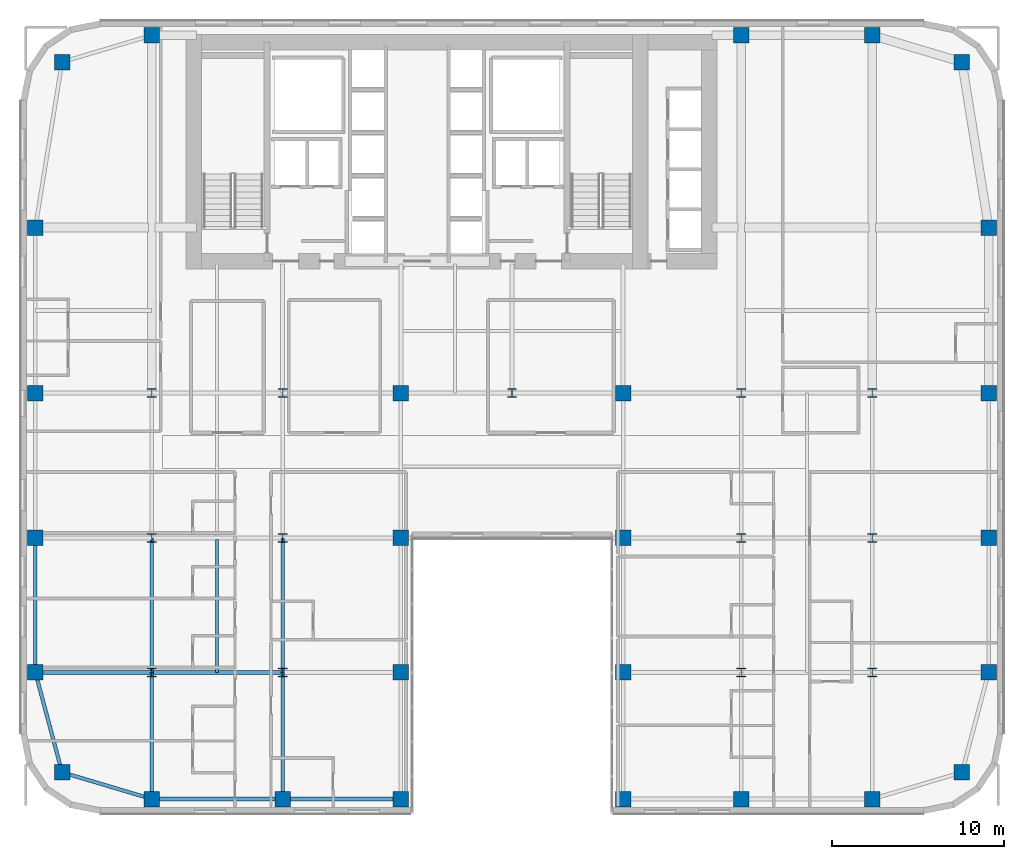
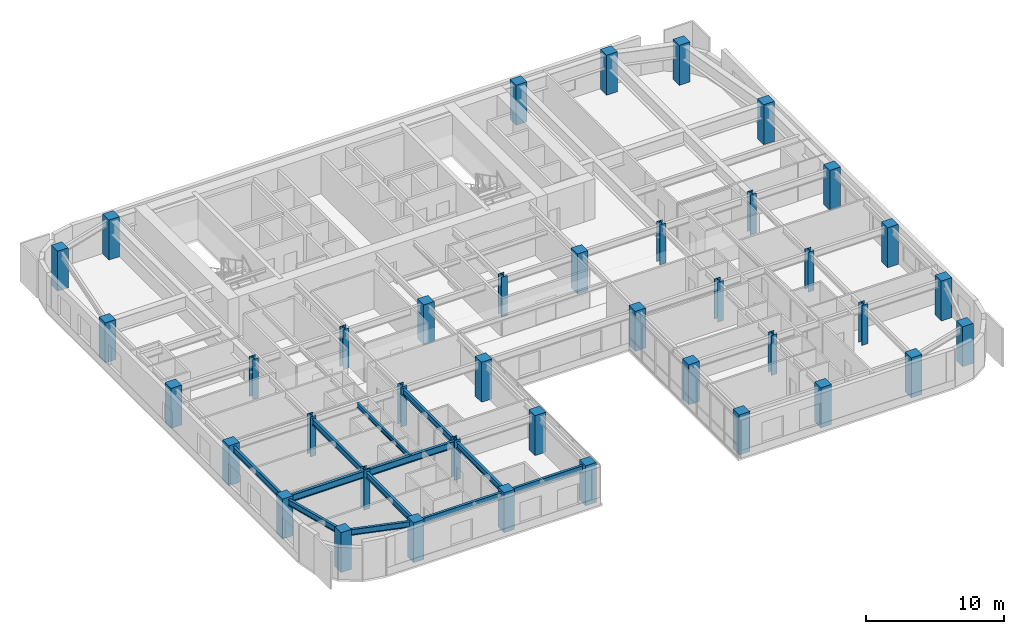
# One storey, part 1 of 24: 40 columns, 12 beams.
"""IFC4 building model written with IfcOpenShell, lengths in metres."""

from ifc_helpers import new_model, si_unit, direction, frame, origin, origin_2d, place, context, subcontext, project, spatial, rectangle, i_section, extrude, source, transform, mapped, material, material_profile, profile_set, type_object, type_shapes, element, save


model = new_model("IFC4")

# Units and contexts
model_context = context("Model", 3, precision=1e-05, world=origin(), true_north=direction((0.0, 1.0)))
body_context = subcontext(model_context, "Body", "Model", "MODEL_VIEW")
ifc_project = project(units=[si_unit("LENGTHUNIT", "METRE"), si_unit("AREAUNIT", "SQUARE_METRE"), si_unit("VOLUMEUNIT", "CUBIC_METRE"), si_unit("PLANEANGLEUNIT", "RADIAN"), si_unit("MASSUNIT", "GRAM", prefix="KILO")], contexts=[model_context])

# Site, building, storey
site_placement = place(None, origin())
site = spatial("IfcSite", under=ifc_project, at=site_placement, CompositionType="ELEMENT")
building_placement = place(site_placement, origin())
building = spatial("IfcBuilding", under=site, at=building_placement, Name="Tolvann Quenvar Hotel", CompositionType="ELEMENT")
storey_placement = place(building_placement, frame((0.0, 0.0, 81.699951171875)))
storey = spatial("IfcBuildingStorey", under=building, at=storey_placement, Name="L20", CompositionType="ELEMENT", Elevation=81.699951171875)

# Columns
ifc_material_1 = material(Name="Concrete S65 (65 MPa)", Category="concrete")
ifc_material_profile_1 = material_profile(ifc_material_1, rectangle(XDim=0.89990234375, YDim=0.89990234375, at=origin_2d()), Name="RC900x900")
ifc_profile_set_1 = profile_set([ifc_material_profile_1], Name="Concrete S65 (65 MPa)")
column_type_1 = type_object("IfcColumnType", Name="COL_RC900", PredefinedType="COLUMN", material=ifc_profile_set_1)
shared_shape_1 = source(origin(), body_context, "Body", "SweptSolid", [
    extrude(rectangle(XDim=0.89990234375, YDim=0.89990234375, at=origin_2d()), origin(), (0.0, 0.0, 1.0), 3.550048828125),
])
type_shapes(column_type_1, [shared_shape_1])
for number, where, z_axis, x_axis, name in (
    (1, (2.39990234375, 2.39990234375, 0.0), (0.0, 0.0, 1.0), (1.0, 0.0, 0.0), "Column B2 (L20)"),
    (2, (0.85009765625, 8.199951171875, 0.0), (0.0, 0.0, 1.0), (1.0, 0.0, 0.0), "Column B3 (L20)"),
    (3, (0.85009765625, 16.0, 0.0), (0.0, 0.0, 1.0), (1.0, 0.0, 0.0), "Column B4 (L20)"),
    (4, (0.85009765625, 24.39990234375, 0.0), (0.0, 0.0, 1.0), (1.0, 0.0, 0.0), "Column B5 (L20)"),
    (5, (7.60009765625, 0.85009765625, 0.0), (0.0, 0.0, 1.0), (1.0, 0.0, 0.0), "Column C2 (L20)"),
    (6, (15.199951171875, 0.85009765625, 0.0), (0.0, 0.0, 1.0), (1.0, 0.0, 0.0), "Column D2 (L20)"),
    (7, (22.050048828125, 0.85009765625, 0.0), (0.0, 0.0, 1.0), (1.0, 0.0, 0.0), "Column E2 (L20)"),
    (8, (22.050048828125, 8.199951171875, 0.0), (0.0, 0.0, 1.0), (1.0, 0.0, 0.0), "Column E3 (L20)"),
    (9, (22.050048828125, 16.0, 0.0), (0.0, 0.0, 1.0), (1.0, 0.0, 0.0), "Column E4 (L20)"),
    (10, (22.050048828125, 24.39990234375, 0.0), (0.0, 0.0, 1.0), (1.0, 0.0, 0.0), "Column E5 (L20)"),
    (11, (34.949951171875, 0.85009765625, 0.0), (0.0, 0.0, 1.0), (1.0, 0.0, 0.0), "Column F2 (L20)"),
    (12, (34.949951171875, 8.199951171875, 0.0), (0.0, 0.0, 1.0), (1.0, 0.0, 0.0), "Column F3 (L20)"),
    (13, (34.949951171875, 16.0, 0.0), (0.0, 0.0, 1.0), (1.0, 0.0, 0.0), "Column F4 (L20)"),
    (14, (34.949951171875, 24.39990234375, 0.0), (0.0, 0.0, 1.0), (1.0, 0.0, 0.0), "Column F5 (L20)"),
    (15, (41.800048828125, 0.85009765625, 0.0), (0.0, 0.0, 1.0), (1.0, 0.0, 0.0), "Column H2 (L20)"),
    (16, (49.39990234375, 0.85009765625, 0.0), (0.0, 0.0, 1.0), (1.0, 0.0, 0.0), "Column I2 (L20)"),
    (17, (54.60009765625, 2.39990234375, 0.0), (0.0, 0.0, 1.0), (1.0, 0.0, 0.0), "Column J2 (L20)"),
    (18, (56.14990234375, 8.199951171875, 0.0), (0.0, 0.0, 1.0), (1.0, 0.0, 0.0), "Column J3 (L20)"),
    (19, (56.14990234375, 16.0, 0.0), (0.0, 0.0, 1.0), (1.0, 0.0, 0.0), "Column J4 (L20)"),
    (20, (56.14990234375, 24.39990234375, 0.0), (0.0, 0.0, 1.0), (1.0, 0.0, 0.0), "Column J5 (L20)"),
    (21, (2.39990234375, 43.60009765625, 0.0), (0.0, 0.0, 1.0), (1.0, 0.0, 0.0), "Column BN (L20)"),
    (22, (7.60009765625, 45.14990234375, 0.0), (0.0, 0.0, 1.0), (1.0, 0.0, 0.0), "Column CN (L20)"),
    (23, (0.85009765625, 34.0, 0.0), (0.0, 0.0, 1.0), (1.0, 0.0, 0.0), "Column BD6 (L20)"),
    (24, (41.800048828125, 45.14990234375, 0.0), (0.0, 0.0, 1.0), (1.0, 0.0, 0.0), "Column HN (L20)"),
    (25, (49.39990234375, 45.14990234375, 0.0), (0.0, 0.0, 1.0), (1.0, 0.0, 0.0), "Column IN (L20)"),
    (26, (54.60009765625, 43.60009765625, 0.0), (0.0, 0.0, 1.0), (1.0, 0.0, 0.0), "Column JN (L20)"),
    (27, (56.14990234375, 34.0, 0.0), (0.0, 0.0, 1.0), (1.0, 0.0, 0.0), "Column JD6 (L20)"),
):
    element("IfcColumn", number, at=place(storey_placement, frame(where, z_axis=z_axis, x_axis=x_axis)), inside=storey, type_object=column_type_1, Name=name, PredefinedType="COLUMN", context=body_context, shape_type="MappedRepresentation", body=[
        mapped(shared_shape_1, transform((0.0, 0.0, 0.0), x_axis=(1.0, 0.0, 0.0), y_axis=(0.0, 1.0, 0.0), z_axis=(0.0, 0.0, 1.0), scale=1.0)),
    ])
ifc_material_2 = material(Name="Steel Grade 350", Category="steel")
ifc_material_profile_2 = material_profile(ifc_material_2, i_section(OverallWidth=0.5, OverallDepth=0.5, WebThickness=0.02197265625, FlangeThickness=0.033935546875, at=origin_2d()), Name="500WC340")
ifc_profile_set_2 = profile_set([ifc_material_profile_2], Name="Steel Grade 350")
column_type_2 = type_object("IfcColumnType", Name="COL_500WC340", PredefinedType="COLUMN", material=ifc_profile_set_2)
shared_shape_2 = source(origin(), body_context, "Body", "SweptSolid", [
    extrude(i_section(OverallWidth=0.5, OverallDepth=0.5, WebThickness=0.02197265625, FlangeThickness=0.033935546875, at=origin_2d()), origin(), (0.0, 0.0, 1.0), 3.550048828125),
])
type_shapes(column_type_2, [shared_shape_2])
for number, where, z_axis, x_axis, name in (
    (28, (7.60009765625, 8.199951171875, 0.0), (0.0, 0.0, 1.0), (1.0, 0.0, 0.0), "Column C3 (L20)"),
    (29, (7.60009765625, 16.0, 0.0), (0.0, 0.0, 1.0), (1.0, 0.0, 0.0), "Column C4 (L20)"),
    (30, (7.60009765625, 24.39990234375, 0.0), (0.0, 0.0, 1.0), (1.0, 0.0, 0.0), "Column C5 (L20)"),
    (31, (15.199951171875, 8.199951171875, 0.0), (0.0, 0.0, 1.0), (1.0, 0.0, 0.0), "Column D3 (L20)"),
    (32, (15.199951171875, 16.0, 0.0), (0.0, 0.0, 1.0), (1.0, 0.0, 0.0), "Column D4 (L20)"),
    (33, (15.199951171875, 24.39990234375, 0.0), (0.0, 0.0, 1.0), (1.0, 0.0, 0.0), "Column D5 (L20)"),
    (34, (41.800048828125, 8.199951171875, 0.0), (0.0, 0.0, 1.0), (1.0, 0.0, 0.0), "Column H3 (L20)"),
    (35, (41.800048828125, 16.0, 0.0), (0.0, 0.0, 1.0), (1.0, 0.0, 0.0), "Column H4 (L20)"),
    (36, (41.800048828125, 24.39990234375, 0.0), (0.0, 0.0, 1.0), (1.0, 0.0, 0.0), "Column H5 (L20)"),
    (37, (49.39990234375, 8.199951171875, 0.0), (0.0, 0.0, 1.0), (1.0, 0.0, 0.0), "Column I3 (L20)"),
    (38, (49.39990234375, 16.0, 0.0), (0.0, 0.0, 1.0), (1.0, 0.0, 0.0), "Column I4 (L20)"),
    (39, (49.39990234375, 24.39990234375, 0.0), (0.0, 0.0, 1.0), (1.0, 0.0, 0.0), "Column I5 (L20)"),
    (40, (28.5, 24.39990234375, 0.0), (0.0, 0.0, 1.0), (1.0, 0.0, 0.0), "Column M5 (L20)"),
):
    element("IfcColumn", number, at=place(storey_placement, frame(where, z_axis=z_axis, x_axis=x_axis)), inside=storey, type_object=column_type_2, Name=name, PredefinedType="COLUMN", context=body_context, shape_type="MappedRepresentation", body=[
        mapped(shared_shape_2, transform((0.0, 0.0, 0.0), x_axis=(1.0, 0.0, 0.0), y_axis=(0.0, 1.0, 0.0), z_axis=(0.0, 0.0, 1.0), scale=1.0)),
    ])

# Beams
ifc_material_profile_3 = material_profile(ifc_material_2, i_section(OverallWidth=0.208984375, OverallDepth=0.528076171875, WebThickness=0.009521484375, FlangeThickness=0.01318359375, FilletRadius=0.013916015625, at=origin_2d()), Name="530UB82")
ifc_profile_set_3 = profile_set([ifc_material_profile_3], Name="Steel Grade 350")
beam_type_1 = type_object("IfcBeamType", Name="BM_SPAND_530UB82", PredefinedType="SPANDREL", material=ifc_profile_set_3)
shared_shape_3 = source(origin(), body_context, "Body", "SweptSolid", [
    extrude(i_section(OverallWidth=0.208984375, OverallDepth=0.528076171875, WebThickness=0.009521484375, FlangeThickness=0.01318359375, FilletRadius=0.013916015625, at=origin_2d()), origin(), (0.0, 0.0, 1.0), 5.42626953125),
])
beam_1_placement = place(storey_placement, frame((2.39990234375, 2.39990234375, 3.10595703125), z_axis=(0.958344815522, -0.285613750654, 0.0), x_axis=(0.285613750654, 0.958344815522, 0.0)))
element("IfcBeam", 41, at=beam_1_placement, inside=storey, type_object=beam_type_1, Name="BM-L20-EW-2-B2-C2", PredefinedType="SPANDREL", context=body_context, shape_type="MappedRepresentation", body=[
    mapped(shared_shape_3, transform((0.0, 0.0, 0.0), x_axis=(1.0, 0.0, 0.0), y_axis=(0.0, 1.0, 0.0), z_axis=(0.0, 0.0, 1.0), scale=1.0)),
])
shared_shape_4 = source(origin(), body_context, "Body", "SweptSolid", [
    extrude(i_section(OverallWidth=0.208984375, OverallDepth=0.528076171875, WebThickness=0.009521484375, FlangeThickness=0.01318359375, FilletRadius=0.013916015625, at=origin_2d()), origin(), (0.0, 0.0, 1.0), 7.599853515625),
])
beam_2_placement = place(storey_placement, frame((7.60009765625, 0.85009765625, 3.10595703125), z_axis=(1.0, 0.0, 0.0), x_axis=(0.0, 1.0, 0.0)))
element("IfcBeam", 42, at=beam_2_placement, inside=storey, type_object=beam_type_1, Name="BM-L20-EW-2-C2-D2", PredefinedType="SPANDREL", context=body_context, shape_type="MappedRepresentation", body=[
    mapped(shared_shape_4, transform((0.0, 0.0, 0.0), x_axis=(1.0, 0.0, 0.0), y_axis=(0.0, 1.0, 0.0), z_axis=(0.0, 0.0, 1.0), scale=1.0)),
])
shared_shape_5 = source(origin(), body_context, "Body", "SweptSolid", [
    extrude(i_section(OverallWidth=0.208984375, OverallDepth=0.528076171875, WebThickness=0.009521484375, FlangeThickness=0.01318359375, FilletRadius=0.013916015625, at=origin_2d()), origin(), (0.0, 0.0, 1.0), 6.85009765625),
])
beam_3_placement = place(storey_placement, frame((15.199951171875, 0.85009765625, 3.10595703125), z_axis=(1.0, 0.0, 0.0), x_axis=(0.0, 1.0, 0.0)))
element("IfcBeam", 43, at=beam_3_placement, inside=storey, type_object=beam_type_1, Name="BM-L20-EW-2-D2-E2", PredefinedType="SPANDREL", context=body_context, shape_type="MappedRepresentation", body=[
    mapped(shared_shape_5, transform((0.0, 0.0, 0.0), x_axis=(1.0, 0.0, 0.0), y_axis=(0.0, 1.0, 0.0), z_axis=(0.0, 0.0, 1.0), scale=1.0)),
])
ifc_material_profile_4 = material_profile(ifc_material_2, i_section(OverallWidth=0.22900390625, OverallDepth=0.612060546875, WebThickness=0.011962890625, FlangeThickness=0.01953125, FilletRadius=0.013916015625, at=origin_2d()), Name="610UB125")
ifc_profile_set_4 = profile_set([ifc_material_profile_4], Name="Steel Grade 350")
beam_type_2 = type_object("IfcBeamType", Name="BM_GIRD_610UB125", PredefinedType="BEAM", material=ifc_profile_set_4)
shared_shape_6 = source(origin(), body_context, "Body", "SweptSolid", [
    extrude(i_section(OverallWidth=0.22900390625, OverallDepth=0.612060546875, WebThickness=0.011962890625, FlangeThickness=0.01953125, FilletRadius=0.013916015625, at=origin_2d()), origin(), (0.0, 0.0, 1.0), 6.75),
])
beam_4_placement = place(storey_placement, frame((0.85009765625, 8.199951171875, 3.06396484375), z_axis=(1.0, 0.0, 0.0), x_axis=(0.0, 1.0, 0.0)))
element("IfcBeam", 44, at=beam_4_placement, inside=storey, type_object=beam_type_2, Name="BM-L20-EW-3-B3-C3", PredefinedType="BEAM", context=body_context, shape_type="MappedRepresentation", body=[
    mapped(shared_shape_6, transform((0.0, 0.0, 0.0), x_axis=(1.0, 0.0, 0.0), y_axis=(0.0, 1.0, 0.0), z_axis=(0.0, 0.0, 1.0), scale=1.0)),
])
shared_shape_7 = source(origin(), body_context, "Body", "SweptSolid", [
    extrude(i_section(OverallWidth=0.22900390625, OverallDepth=0.612060546875, WebThickness=0.011962890625, FlangeThickness=0.01953125, FilletRadius=0.013916015625, at=origin_2d()), origin(), (0.0, 0.0, 1.0), 7.599853515625),
])
type_shapes(beam_type_2, [shared_shape_6, shared_shape_7])
beam_5_placement = place(storey_placement, frame((7.60009765625, 8.199951171875, 3.06396484375), z_axis=(1.0, 0.0, 0.0), x_axis=(0.0, 1.0, 0.0)))
element("IfcBeam", 45, at=beam_5_placement, inside=storey, type_object=beam_type_2, Name="BM-L20-EW-3-C3-D3", PredefinedType="BEAM", context=body_context, shape_type="MappedRepresentation", body=[
    mapped(shared_shape_7, transform((0.0, 0.0, 0.0), x_axis=(1.0, 0.0, 0.0), y_axis=(0.0, 1.0, 0.0), z_axis=(0.0, 0.0, 1.0), scale=1.0)),
])
shared_shape_8 = source(origin(), body_context, "Body", "SweptSolid", [
    extrude(i_section(OverallWidth=0.208984375, OverallDepth=0.528076171875, WebThickness=0.009521484375, FlangeThickness=0.01318359375, FilletRadius=0.013916015625, at=origin_2d()), origin(), (0.0, 0.0, 1.0), 6.00341796875),
])
beam_6_placement = place(storey_placement, frame((2.39990234375, 2.39990234375, 3.10595703125), z_axis=(-0.258148586649, 0.966105225745, 0.0), x_axis=(-0.966105225745, -0.258148586649, 0.0)))
element("IfcBeam", 46, at=beam_6_placement, inside=storey, type_object=beam_type_1, Name="BM-L20-NS-B2-B3", PredefinedType="SPANDREL", context=body_context, shape_type="MappedRepresentation", body=[
    mapped(shared_shape_8, transform((0.0, 0.0, 0.0), x_axis=(1.0, 0.0, 0.0), y_axis=(0.0, 1.0, 0.0), z_axis=(0.0, 0.0, 1.0), scale=1.0)),
])
shared_shape_9 = source(origin(), body_context, "Body", "SweptSolid", [
    extrude(i_section(OverallWidth=0.208984375, OverallDepth=0.528076171875, WebThickness=0.009521484375, FlangeThickness=0.01318359375, FilletRadius=0.013916015625, at=origin_2d()), origin(), (0.0, 0.0, 1.0), 7.800048828125),
])
type_shapes(beam_type_1, [shared_shape_3, shared_shape_4, shared_shape_5, shared_shape_8, shared_shape_9])
beam_7_placement = place(storey_placement, frame((0.85009765625, 8.199951171875, 3.10595703125), z_axis=(0.0, 1.0, 0.0), x_axis=(-1.0, 0.0, 0.0)))
element("IfcBeam", 47, at=beam_7_placement, inside=storey, type_object=beam_type_1, Name="BM-L20-NS-B3-B4", PredefinedType="SPANDREL", context=body_context, shape_type="MappedRepresentation", body=[
    mapped(shared_shape_9, transform((0.0, 0.0, 0.0), x_axis=(1.0, 0.0, 0.0), y_axis=(0.0, 1.0, 0.0), z_axis=(0.0, 0.0, 1.0), scale=1.0)),
])
ifc_material_profile_5 = material_profile(ifc_material_2, i_section(OverallWidth=0.208984375, OverallDepth=0.532958984375, WebThickness=0.01025390625, FlangeThickness=0.015625, FilletRadius=0.013916015625, at=origin_2d()), Name="530UB92")
ifc_profile_set_5 = profile_set([ifc_material_profile_5], Name="Steel Grade 350")
beam_type_3 = type_object("IfcBeamType", Name="BM_GIRD_530UB92", PredefinedType="BEAM", material=ifc_profile_set_5)
shared_shape_10 = source(origin(), body_context, "Body", "SweptSolid", [
    extrude(i_section(OverallWidth=0.208984375, OverallDepth=0.532958984375, WebThickness=0.01025390625, FlangeThickness=0.015625, FilletRadius=0.013916015625, at=origin_2d()), origin(), (0.0, 0.0, 1.0), 7.349853515625),
])
for number, where, z_axis, x_axis, name in (
    (48, (7.60009765625, 0.85009765625, 3.103515625), (0.0, 1.0, 0.0), (-1.0, 0.0, 0.0), "BM-L20-NS-C2-C3"),
    (49, (15.199951171875, 0.85009765625, 3.103515625), (0.0, 1.0, 0.0), (-1.0, 0.0, 0.0), "BM-L20-NS-D2-D3"),
):
    element("IfcBeam", number, at=place(storey_placement, frame(where, z_axis=z_axis, x_axis=x_axis)), inside=storey, type_object=beam_type_3, Name=name, PredefinedType="BEAM", context=body_context, shape_type="MappedRepresentation", body=[
        mapped(shared_shape_10, transform((0.0, 0.0, 0.0), x_axis=(1.0, 0.0, 0.0), y_axis=(0.0, 1.0, 0.0), z_axis=(0.0, 0.0, 1.0), scale=1.0)),
    ])
shared_shape_11 = source(origin(), body_context, "Body", "SweptSolid", [
    extrude(i_section(OverallWidth=0.208984375, OverallDepth=0.532958984375, WebThickness=0.01025390625, FlangeThickness=0.015625, FilletRadius=0.013916015625, at=origin_2d()), origin(), (0.0, 0.0, 1.0), 7.800048828125),
])
type_shapes(beam_type_3, [shared_shape_10, shared_shape_11])
for number, where, z_axis, x_axis, name in (
    (50, (7.60009765625, 8.199951171875, 3.103515625), (0.0, 1.0, 0.0), (-1.0, 0.0, 0.0), "BM-L20-NS-C3-C4"),
    (51, (15.199951171875, 8.199951171875, 3.103515625), (0.0, 1.0, 0.0), (-1.0, 0.0, 0.0), "BM-L20-NS-D3-D4"),
):
    element("IfcBeam", number, at=place(storey_placement, frame(where, z_axis=z_axis, x_axis=x_axis)), inside=storey, type_object=beam_type_3, Name=name, PredefinedType="BEAM", context=body_context, shape_type="MappedRepresentation", body=[
        mapped(shared_shape_11, transform((0.0, 0.0, 0.0), x_axis=(1.0, 0.0, 0.0), y_axis=(0.0, 1.0, 0.0), z_axis=(0.0, 0.0, 1.0), scale=1.0)),
    ])
ifc_material_profile_6 = material_profile(ifc_material_2, i_section(OverallWidth=0.177978515625, OverallDepth=0.406005859375, WebThickness=0.0078125, FlangeThickness=0.0126953125, FilletRadius=0.011474609375, at=origin_2d()), Name="410UB60")
ifc_profile_set_6 = profile_set([ifc_material_profile_6], Name="Steel Grade 350")
beam_type_4 = type_object("IfcBeamType", Name="BM_JOIST_410UB60", PredefinedType="JOIST", material=ifc_profile_set_6)
shared_shape_12 = source(origin(), body_context, "Body", "SweptSolid", [
    extrude(i_section(OverallWidth=0.177978515625, OverallDepth=0.406005859375, WebThickness=0.0078125, FlangeThickness=0.0126953125, FilletRadius=0.011474609375, at=origin_2d()), origin(), (0.0, 0.0, 1.0), 7.691650390625),
])
type_shapes(beam_type_4, [shared_shape_12])
beam_8_placement = place(storey_placement, frame((11.39990234375, 8.199951171875, 3.1669921875), z_axis=(0.0, 1.0, 0.0), x_axis=(-1.0, 0.0, 0.0)))
element("IfcBeam", 52, at=beam_8_placement, inside=storey, type_object=beam_type_4, Name="BJ-L20-114-82", PredefinedType="JOIST", context=body_context, shape_type="MappedRepresentation", body=[
    mapped(shared_shape_12, transform((0.0, 0.0, 0.0), x_axis=(1.0, 0.0, 0.0), y_axis=(0.0, 1.0, 0.0), z_axis=(0.0, 0.0, 1.0), scale=1.0)),
])

save(model, "model.ifc")
